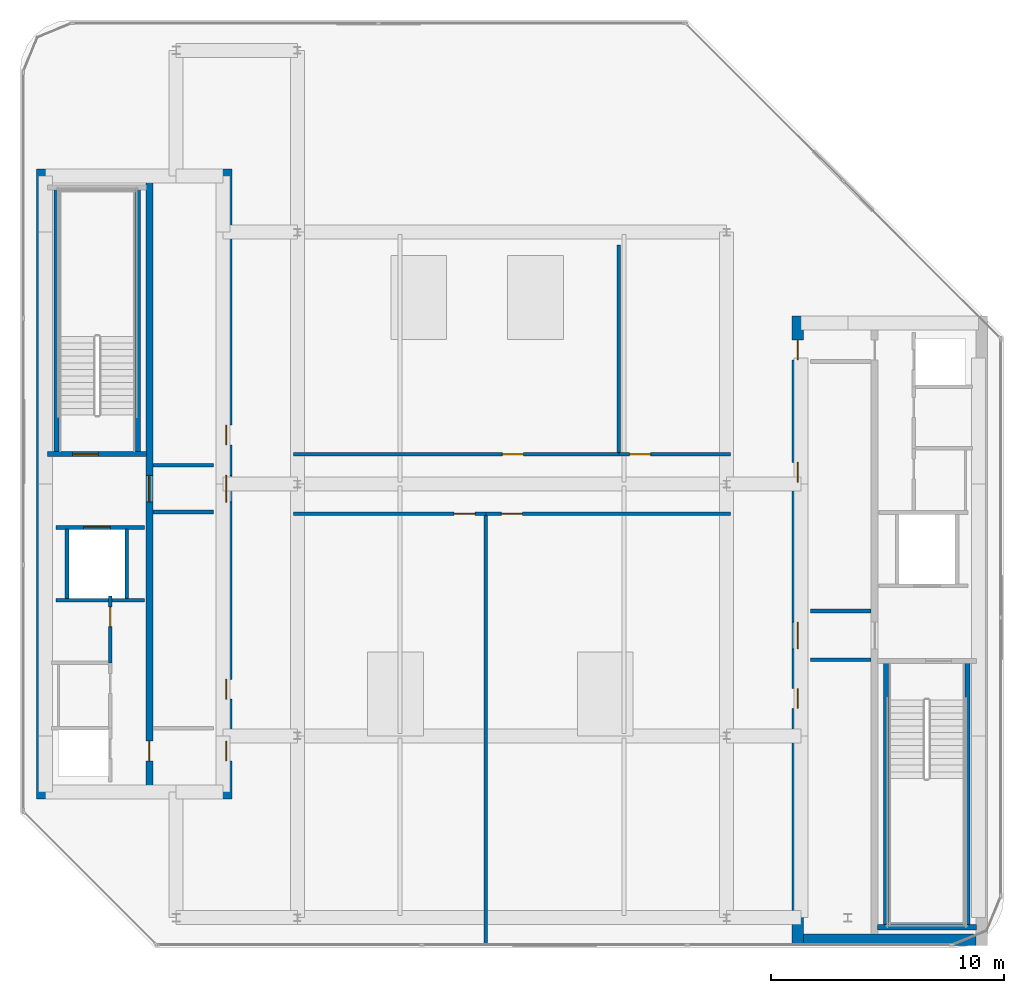
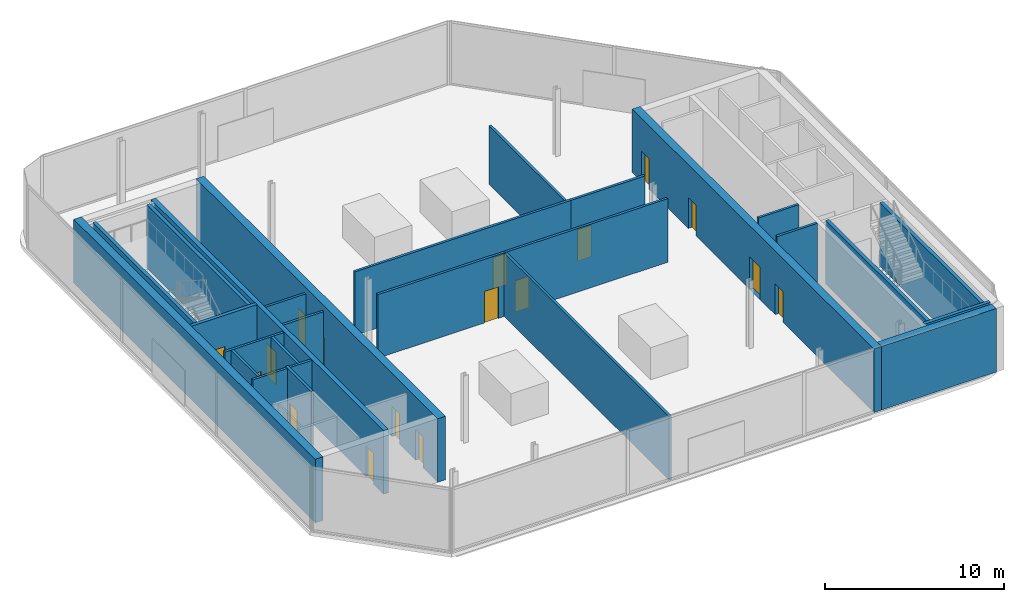
# One storey, part 5 of 15: 26 walls, 17 doors, 17 openings.
"""IFC4 building model written with IfcOpenShell, lengths in metres."""

from ifc_helpers import new_model, si_unit, direction, frame, frame_2d, origin, place, context, subcontext, project, spatial, rectangle, extrude, material, layer, layer_set, type_object, element, fill, save


model = new_model("IFC4")

# Units and contexts
model_context = context("Model", 3, precision=1e-05, world=origin(), true_north=direction((0.0, 1.0)))
body_context = subcontext(model_context, "Body", "Model", "MODEL_VIEW")
ifc_project = project(units=[si_unit("LENGTHUNIT", "METRE"), si_unit("AREAUNIT", "SQUARE_METRE"), si_unit("VOLUMEUNIT", "CUBIC_METRE"), si_unit("PLANEANGLEUNIT", "RADIAN"), si_unit("MASSUNIT", "GRAM", prefix="KILO")], contexts=[model_context])

# Site, building, storey
site_placement = place(None, origin())
site = spatial("IfcSite", under=ifc_project, at=site_placement, CompositionType="ELEMENT")
building_placement = place(site_placement, origin())
building = spatial("IfcBuilding", under=site, at=building_placement, Name="Khairoan Windgate Tower", CompositionType="ELEMENT")
storey_placement = place(building_placement, frame((0.0, 0.0, 330.39990234375)))
storey = spatial("IfcBuildingStorey", under=building, at=storey_placement, Name="L79", CompositionType="ELEMENT", Elevation=330.39990234375)

# Wall, opening, door
ifc_material_1 = material(Name="Concrete C40/50", Category="concrete")
ifc_layer_1 = layer(ifc_material_1, 0.159912109375, Name="Concrete C40/50")
ifc_layer_set_1 = layer_set([ifc_layer_1], Name="Concrete C40/50")
wall_type_1 = type_object("IfcWallType", Name="Core and Hoistway Enclosure Wall", PredefinedType="STANDARD", material=ifc_layer_set_1)
wall_1_placement = place(storey_placement, frame((-19.550048828125, -1.860107421875, 0.0), z_axis=(0.0, 0.0, 1.0), x_axis=(1.0, 0.0, 0.0)))
wall_1 = element("IfcWall", 1, at=wall_1_placement, inside=storey, type_object=wall_type_1, Name="L79 Core Shaft Wall SW-FL2-L79", PredefinedType="STANDARD", context=body_context, shape_type="SweptSolid", body=[
    extrude(rectangle(XDim=3.800048828125, YDim=0.159912109375, at=frame_2d((1.89990234375, 0.0))), origin(), (0.0, 0.0, 1.0), 4.340087890625),
])
opening_1_placement = place(wall_1_placement, frame((1.179931640625, 0.0, 0.0)))
opening_1 = element("IfcOpeningElement", 2, at=opening_1_placement, cuts=wall_1, Name="Opening LD-FL", PredefinedType="OPENING", context=body_context, shape_type="SweptSolid", body=[
    extrude(rectangle(XDim=1.14990234375, YDim=2.199951171875, at=frame_2d((0.574951171875, 1.10009765625))), frame((0.0, 0.08984375, 0.0), z_axis=(0.0, -1.0, 0.0), x_axis=(1.0, 0.0, 0.0)), (0.0, 0.0, 1.0), 0.179931640625),
])
ifc_material_2 = material(Name="Steel S355", Category="steel")
door_type_1 = type_object("IfcDoorType", Name="Firefighting Lift Sliding Landing Door LD-FL 1150x2200", OperationType="DOUBLE_DOOR_SLIDING", PredefinedType="DOOR", material=ifc_material_2)
door_1_placement = place(opening_1_placement, origin())
door_1 = element("IfcDoor", 3, at=door_1_placement, inside=storey, type_object=door_type_1, Name="L79 Firefighting Lift FL2 Landing Door", OperationType="DOUBLE_DOOR_SLIDING", OverallHeight=2.199951171875, OverallWidth=1.14990234375, PredefinedType="DOOR", context=body_context, shape_type="SweptSolid", body=[
    extrude(rectangle(XDim=1.14990234375, YDim=2.199951171875, at=frame_2d((0.574951171875, 1.10009765625))), frame((0.0, 0.02490234375, 0.0), z_axis=(0.0, -1.0, 0.0), x_axis=(1.0, 0.0, 0.0)), (0.0, 0.0, 1.0), 0.050048828125),
])
fill(opening_1, door_1)

# Walls
wall_2_placement = place(storey_placement, frame((-19.550048828125, -4.97998046875, 0.0), z_axis=(0.0, 0.0, 1.0), x_axis=(1.0, 0.0, 0.0)))
element("IfcWall", 4, at=wall_2_placement, inside=storey, type_object=wall_type_1, Name="L79 Core Shaft Wall SW-FL2B-L79", PredefinedType="STANDARD", context=body_context, shape_type="SweptSolid", body=[
    extrude(rectangle(XDim=3.800048828125, YDim=0.159912109375, at=frame_2d((1.89990234375, 0.0))), origin(), (0.0, 0.0, 1.0), 4.340087890625),
])
for number, where, z_axis, x_axis, name in (
    (5, (-19.080078125, -4.89990234375, 0.0), (0.0, 0.0, 1.0), (0.0, 1.0, 0.0), "L79 Core Shaft Wall SW-FL2W-L79"),
    (6, (-16.52001953125, -4.89990234375, 0.0), (0.0, 0.0, 1.0), (0.0, 1.0, 0.0), "L79 Core Shaft Wall SW-FL2E-L79"),
):
    element("IfcWall", number, at=place(storey_placement, frame(where, z_axis=z_axis, x_axis=x_axis)), inside=storey, type_object=wall_type_1, Name=name, PredefinedType="STANDARD", context=body_context, shape_type="SweptSolid", body=[
        extrude(rectangle(XDim=2.9599609375, YDim=0.159912109375, at=frame_2d((1.47998046875, 0.0))), origin(), (0.0, 0.0, 1.0), 4.340087890625),
    ])
for number, where, z_axis, x_axis, name in (
    (7, (-15.39990234375, 0.800048828125, 0.0), (0.0, 0.0, 1.0), (1.0, 0.0, 0.0), "L79 Core Shaft Wall SW-WV1-L79"),
    (8, (-15.39990234375, -1.199951171875, 0.0), (0.0, 0.0, 1.0), (1.0, 0.0, 0.0), "L79 Core Shaft Wall SW-WV2-L79"),
    (9, (12.800048828125, -5.449951171875, 0.0), (0.0, 0.0, 1.0), (1.0, 0.0, 0.0), "L79 Core Shaft Wall SW-EV1-L79"),
    (10, (12.800048828125, -7.5400390625, 0.0), (0.0, 0.0, 1.0), (1.0, 0.0, 0.0), "L79 Core Shaft Wall SW-EV2-L79"),
):
    element("IfcWall", number, at=place(storey_placement, frame(where, z_axis=z_axis, x_axis=x_axis)), inside=storey, type_object=wall_type_1, Name=name, PredefinedType="STANDARD", context=body_context, shape_type="SweptSolid", body=[
        extrude(rectangle(XDim=2.599853515625, YDim=0.159912109375, at=frame_2d((1.2998046875, 0.0))), origin(), (0.0, 0.0, 1.0), 4.340087890625),
    ])

# Wall, opening, door
ifc_material_3 = material(Name="Concrete C40/50", Category="concrete")
ifc_layer_2 = layer(ifc_material_3, 0.159912109375, Name="Concrete C40/50")
ifc_layer_set_2 = layer_set([ifc_layer_2], Name="Concrete C40/50")
wall_type_2 = type_object("IfcWallType", Name="Plant and Refuge Compartment Wall", PredefinedType="PARTITIONING", material=ifc_layer_set_2)
wall_3_placement = place(storey_placement, frame((-17.22998046875, -7.669921875, 0.0), z_axis=(0.0, 0.0, 1.0), x_axis=(0.0, 1.0, 0.0)))
wall_3 = element("IfcWall", 11, at=wall_3_placement, inside=storey, type_object=wall_type_2, Name="L79 Interior Partition 003", PredefinedType="PARTITIONING", context=body_context, shape_type="SweptSolid", body=[
    extrude(rectangle(XDim=2.85986328125, YDim=0.159912109375, at=frame_2d((1.429931640625, 0.0))), origin(), (0.0, 0.0, 1.0), 4.340087890625),
])
opening_2_placement = place(wall_3_placement, frame((1.550048828125, 0.0, 0.0)))
opening_2 = element("IfcOpeningElement", 12, at=opening_2_placement, cuts=wall_3, Name="Opening FD-SRV", PredefinedType="OPENING", context=body_context, shape_type="SweptSolid", body=[
    extrude(rectangle(XDim=0.85009765625, YDim=2.10009765625, at=frame_2d((0.425048828125, 1.050048828125))), frame((0.0, 0.08984375, 0.0), z_axis=(0.0, -1.0, 0.0), x_axis=(1.0, 0.0, 0.0)), (0.0, 0.0, 1.0), 0.179931640625),
])
ifc_material_4 = material(Name="Steel S355", Category="steel")
door_type_2 = type_object("IfcDoorType", Name="Core Service and Riser Fire Door FD-SRV 850x2100", OperationType="NOTDEFINED", PredefinedType="DOOR", material=ifc_material_4)
door_2_placement = place(opening_2_placement, origin())
door_2 = element("IfcDoor", 13, at=door_2_placement, inside=storey, type_object=door_type_2, Name="L79 L79-04-L79-07 Door", OperationType="SINGLE_SWING_LEFT", OverallHeight=2.10009765625, OverallWidth=0.85009765625, PredefinedType="DOOR", context=body_context, shape_type="SweptSolid", body=[
    extrude(rectangle(XDim=0.85009765625, YDim=2.10009765625, at=frame_2d((0.425048828125, 1.050048828125))), frame((0.0, 0.02490234375, 0.0), z_axis=(0.0, -1.0, 0.0), x_axis=(1.0, 0.0, 0.0)), (0.0, 0.0, 1.0), 0.050048828125),
])
fill(opening_2, door_2)

wall_4_placement = place(storey_placement, frame((-9.360107421875, 1.280029296875, 0.0), z_axis=(0.0, 0.0, 1.0), x_axis=(1.0, 0.0, 0.0)))
wall_4 = element("IfcWall", 14, at=wall_4_placement, inside=storey, type_object=wall_type_2, Name="L79 Interior Partition 011", PredefinedType="PARTITIONING", context=body_context, shape_type="SweptSolid", body=[
    extrude(rectangle(XDim=13.940185546875, YDim=0.159912109375, at=frame_2d((6.97021484375, 0.0))), origin(), (0.0, 0.0, 1.0), 4.340087890625),
])
opening_3_placement = place(wall_4_placement, frame((8.944091796875, 0.0, 0.0)))
opening_3 = element("IfcOpeningElement", 15, at=opening_3_placement, cuts=wall_4, Name="Opening FD-ENT", PredefinedType="OPENING", context=body_context, shape_type="SweptSolid", body=[
    extrude(rectangle(XDim=0.89990234375, YDim=2.14990234375, at=frame_2d((0.449951171875, 1.074951171875))), frame((0.0, 0.08984375, 0.0), z_axis=(0.0, -1.0, 0.0), x_axis=(1.0, 0.0, 0.0)), (0.0, 0.0, 1.0), 0.179931640625),
])
ifc_material_5 = material(Name="Timber Fire-Rated Core", Category="wood")
door_type_3 = type_object("IfcDoorType", Name="Unit and Office Fire Entrance Door FD-ENT 900x2150", OperationType="NOTDEFINED", PredefinedType="DOOR", material=ifc_material_5)
door_3_placement = place(opening_3_placement, origin())
door_3 = element("IfcDoor", 16, at=door_3_placement, inside=storey, type_object=door_type_3, Name="L79 L79-25-L79-26 Door", OperationType="SINGLE_SWING_LEFT", OverallHeight=2.14990234375, OverallWidth=0.89990234375, PredefinedType="DOOR", context=body_context, shape_type="SweptSolid", body=[
    extrude(rectangle(XDim=0.89990234375, YDim=2.14990234375, at=frame_2d((0.449951171875, 1.074951171875))), frame((0.0, 0.02490234375, 0.0), z_axis=(0.0, -1.0, 0.0), x_axis=(1.0, 0.0, 0.0)), (0.0, 0.0, 1.0), 0.050048828125),
])
fill(opening_3, door_3)

wall_5_placement = place(storey_placement, frame((-9.360107421875, -1.280029296875, 0.0), z_axis=(0.0, 0.0, 1.0), x_axis=(1.0, 0.0, 0.0)))
wall_5 = element("IfcWall", 17, at=wall_5_placement, inside=storey, type_object=wall_type_2, Name="L79 Interior Partition 012", PredefinedType="PARTITIONING", context=body_context, shape_type="SweptSolid", body=[
    extrude(rectangle(XDim=8.239990234375, YDim=0.159912109375, at=frame_2d((4.1201171875, 0.0))), origin(), (0.0, 0.0, 1.0), 4.340087890625),
])
opening_4_placement = place(wall_5_placement, frame((6.8798828125, 0.0, 0.0)))
opening_4 = element("IfcOpeningElement", 18, at=opening_4_placement, cuts=wall_5, Name="Opening FD-ENT", PredefinedType="OPENING", context=body_context, shape_type="SweptSolid", body=[
    extrude(rectangle(XDim=0.89990234375, YDim=2.14990234375, at=frame_2d((0.449951171875, 1.074951171875))), frame((0.0, 0.08984375, 0.0), z_axis=(0.0, -1.0, 0.0), x_axis=(1.0, 0.0, 0.0)), (0.0, 0.0, 1.0), 0.179931640625),
])
door_4_placement = place(opening_4_placement, origin())
door_4 = element("IfcDoor", 19, at=door_4_placement, inside=storey, type_object=door_type_3, Name="L79 L79-25-L79-27 Door", OperationType="SINGLE_SWING_RIGHT", OverallHeight=2.14990234375, OverallWidth=0.89990234375, PredefinedType="DOOR", context=body_context, shape_type="SweptSolid", body=[
    extrude(rectangle(XDim=0.89990234375, YDim=2.14990234375, at=frame_2d((0.449951171875, 1.074951171875))), frame((0.0, 0.02490234375, 0.0), z_axis=(0.0, -1.0, 0.0), x_axis=(1.0, 0.0, 0.0)), (0.0, 0.0, 1.0), 0.050048828125),
])
fill(opening_4, door_4)

wall_6_placement = place(storey_placement, frame((-1.1201171875, -1.280029296875, 0.0), z_axis=(0.0, 0.0, 1.0), x_axis=(1.0, 0.0, 0.0)))
wall_6 = element("IfcWall", 20, at=wall_6_placement, inside=storey, type_object=wall_type_2, Name="L79 Interior Partition 013", PredefinedType="PARTITIONING", context=body_context, shape_type="SweptSolid", body=[
    extrude(rectangle(XDim=10.480224609375, YDim=0.159912109375, at=frame_2d((5.240234375, 0.0))), origin(), (0.0, 0.0, 1.0), 4.340087890625),
])
opening_5_placement = place(wall_6_placement, frame((0.661376953125, 0.0, 0.0)))
opening_5 = element("IfcOpeningElement", 21, at=opening_5_placement, cuts=wall_6, Name="Opening FD-ENT", PredefinedType="OPENING", context=body_context, shape_type="SweptSolid", body=[
    extrude(rectangle(XDim=0.89990234375, YDim=2.14990234375, at=frame_2d((0.449951171875, 1.074951171875))), frame((0.0, 0.08984375, 0.0), z_axis=(0.0, -1.0, 0.0), x_axis=(1.0, 0.0, 0.0)), (0.0, 0.0, 1.0), 0.179931640625),
])
door_5_placement = place(opening_5_placement, origin())
door_5 = element("IfcDoor", 22, at=door_5_placement, inside=storey, type_object=door_type_3, Name="L79 L79-25-L79-28 Door", OperationType="SINGLE_SWING_LEFT", OverallHeight=2.14990234375, OverallWidth=0.89990234375, PredefinedType="DOOR", context=body_context, shape_type="SweptSolid", body=[
    extrude(rectangle(XDim=0.89990234375, YDim=2.14990234375, at=frame_2d((0.449951171875, 1.074951171875))), frame((0.0, 0.02490234375, 0.0), z_axis=(0.0, -1.0, 0.0), x_axis=(1.0, 0.0, 0.0)), (0.0, 0.0, 1.0), 0.050048828125),
])
fill(opening_5, door_5)

wall_7_placement = place(storey_placement, frame((4.580078125, 1.280029296875, 0.0), z_axis=(0.0, 0.0, 1.0), x_axis=(1.0, 0.0, 0.0)))
wall_7 = element("IfcWall", 23, at=wall_7_placement, inside=storey, type_object=wall_type_2, Name="L79 Interior Partition 014", PredefinedType="PARTITIONING", context=body_context, shape_type="SweptSolid", body=[
    extrude(rectangle(XDim=4.780029296875, YDim=0.159912109375, at=frame_2d((2.39013671875, 0.0))), origin(), (0.0, 0.0, 1.0), 4.340087890625),
])
opening_6_placement = place(wall_7_placement, frame((0.4599609375, 0.0, 0.0)))
opening_6 = element("IfcOpeningElement", 24, at=opening_6_placement, cuts=wall_7, Name="Opening FD-ENT", PredefinedType="OPENING", context=body_context, shape_type="SweptSolid", body=[
    extrude(rectangle(XDim=0.89990234375, YDim=2.14990234375, at=frame_2d((0.449951171875, 1.074951171875))), frame((0.0, 0.08984375, 0.0), z_axis=(0.0, -1.0, 0.0), x_axis=(1.0, 0.0, 0.0)), (0.0, 0.0, 1.0), 0.179931640625),
])
door_6_placement = place(opening_6_placement, origin())
door_6 = element("IfcDoor", 25, at=door_6_placement, inside=storey, type_object=door_type_3, Name="L79 L79-25-L79-29 Door", OperationType="SINGLE_SWING_RIGHT", OverallHeight=2.14990234375, OverallWidth=0.89990234375, PredefinedType="DOOR", context=body_context, shape_type="SweptSolid", body=[
    extrude(rectangle(XDim=0.89990234375, YDim=2.14990234375, at=frame_2d((0.449951171875, 1.074951171875))), frame((0.0, 0.02490234375, 0.0), z_axis=(0.0, -1.0, 0.0), x_axis=(1.0, 0.0, 0.0)), (0.0, 0.0, 1.0), 0.050048828125),
])
fill(opening_6, door_6)

# Walls
wall_8_placement = place(storey_placement, frame((4.580078125, 1.360107421875, 0.0), z_axis=(0.0, 0.0, 1.0), x_axis=(0.0, 1.0, 0.0)))
element("IfcWall", 26, at=wall_8_placement, inside=storey, type_object=wall_type_2, Name="L79 Interior Partition 015", PredefinedType="PARTITIONING", context=body_context, shape_type="SweptSolid", body=[
    extrude(rectangle(XDim=8.8798828125, YDim=0.159912109375, at=frame_2d((4.43994140625, 0.0))), origin(), (0.0, 0.0, 1.0), 3.989990234375),
])
wall_9_placement = place(storey_placement, frame((-1.1201171875, -19.7548828125, 0.0), z_axis=(0.0, 0.0, 1.0), x_axis=(0.0, 1.0, 0.0)))
element("IfcWall", 27, at=wall_9_placement, inside=storey, type_object=wall_type_2, Name="L79 Interior Partition 016", PredefinedType="PARTITIONING", context=body_context, shape_type="SweptSolid", body=[
    extrude(rectangle(XDim=18.394775390625, YDim=0.159912109375, at=frame_2d((9.197265625, 0.0))), origin(), (0.0, 0.0, 1.0), 4.340087890625),
])

# Wall, openings, doors
ifc_material_6 = material(Name="Concrete C50/60", Category="concrete")
ifc_layer_3 = layer(ifc_material_6, 0.5, Name="Concrete C50/60")
ifc_layer_set_3 = layer_set([ifc_layer_3], Name="Concrete C50/60")
wall_type_3 = type_object("IfcWallType", Name="Shear Wall CW-E3 500mm", PredefinedType="SHEAR", material=ifc_layer_set_3)
wall_10_placement = place(storey_placement, frame((12.25, -19.800048828125, 0.0), z_axis=(0.0, 0.0, 1.0), x_axis=(0.0, 1.0, 0.0)))
wall_10 = element("IfcWall", 28, at=wall_10_placement, inside=storey, type_object=wall_type_3, Name="E Core West Shear Wall L79", PredefinedType="SHEAR", context=body_context, shape_type="SweptSolid", body=[
    extrude(rectangle(XDim=27.0, YDim=0.5, at=frame_2d((13.5, 0.0))), origin(), (0.0, 0.0, 1.0), 4.340087890625),
])
opening_7_placement = place(wall_10_placement, frame((19.875, 0.0, 0.0)))
opening_7 = element("IfcOpeningElement", 29, at=opening_7_placement, cuts=wall_10, Name="Opening FD-SRV", PredefinedType="OPENING", context=body_context, shape_type="SweptSolid", body=[
    extrude(rectangle(XDim=0.85009765625, YDim=2.10009765625, at=frame_2d((0.425048828125, 1.050048828125))), frame((0.0, 0.260009765625, 0.0), z_axis=(0.0, -1.0, 0.0), x_axis=(1.0, 0.0, 0.0)), (0.0, 0.0, 1.0), 0.52001953125),
])
opening_8_placement = place(wall_10_placement, frame((10.175048828125, 0.0, 0.0)))
opening_8 = element("IfcOpeningElement", 30, at=opening_8_placement, cuts=wall_10, Name="Opening FD-SRV", PredefinedType="OPENING", context=body_context, shape_type="SweptSolid", body=[
    extrude(rectangle(XDim=0.85009765625, YDim=2.10009765625, at=frame_2d((0.425048828125, 1.050048828125))), frame((0.0, 0.260009765625, 0.0), z_axis=(0.0, -1.0, 0.0), x_axis=(1.0, 0.0, 0.0)), (0.0, 0.0, 1.0), 0.52001953125),
])
opening_9_placement = place(wall_10_placement, frame((12.72509765625, 0.0, 0.0)))
opening_9 = element("IfcOpeningElement", 31, at=opening_9_placement, cuts=wall_10, Name="Opening FD-FFL", PredefinedType="OPENING", context=body_context, shape_type="SweptSolid", body=[
    extrude(rectangle(XDim=1.14990234375, YDim=2.199951171875, at=frame_2d((0.574951171875, 1.10009765625))), frame((0.0, 0.260009765625, 0.0), z_axis=(0.0, -1.0, 0.0), x_axis=(1.0, 0.0, 0.0)), (0.0, 0.0, 1.0), 0.52001953125),
])
opening_10_placement = place(wall_10_placement, frame((25.125, 0.0, 0.0)))
opening_10 = element("IfcOpeningElement", 32, at=opening_10_placement, cuts=wall_10, Name="Opening FD-SRV", PredefinedType="OPENING", context=body_context, shape_type="SweptSolid", body=[
    extrude(rectangle(XDim=0.85009765625, YDim=2.10009765625, at=frame_2d((0.425048828125, 1.050048828125))), frame((0.0, 0.260009765625, 0.0), z_axis=(0.0, -1.0, 0.0), x_axis=(1.0, 0.0, 0.0)), (0.0, 0.0, 1.0), 0.52001953125),
])
door_7_placement = place(opening_7_placement, origin())
door_7 = element("IfcDoor", 33, at=door_7_placement, inside=storey, type_object=door_type_2, Name="L79 Crown Overrun Plant Door", OperationType="SINGLE_SWING_LEFT", OverallHeight=2.10009765625, OverallWidth=0.85009765625, PredefinedType="DOOR", context=body_context, shape_type="SweptSolid", body=[
    extrude(rectangle(XDim=0.85009765625, YDim=2.10009765625, at=frame_2d((0.425048828125, 1.050048828125))), frame((0.0, 0.02490234375, 0.0), z_axis=(0.0, -1.0, 0.0), x_axis=(1.0, 0.0, 0.0)), (0.0, 0.0, 1.0), 0.050048828125),
])
fill(opening_7, door_7)
door_8_placement = place(opening_8_placement, origin())
door_8 = element("IfcDoor", 34, at=door_8_placement, inside=storey, type_object=door_type_2, Name="L79 East Core Service Room Door 1", OperationType="SINGLE_SWING_RIGHT", OverallHeight=2.10009765625, OverallWidth=0.85009765625, PredefinedType="DOOR", context=body_context, shape_type="SweptSolid", body=[
    extrude(rectangle(XDim=0.85009765625, YDim=2.10009765625, at=frame_2d((0.425048828125, 1.050048828125))), frame((0.0, 0.02490234375, 0.0), z_axis=(0.0, -1.0, 0.0), x_axis=(1.0, 0.0, 0.0)), (0.0, 0.0, 1.0), 0.050048828125),
])
fill(opening_8, door_8)
door_9_placement = place(opening_10_placement, origin())
door_9 = element("IfcDoor", 35, at=door_9_placement, inside=storey, type_object=door_type_2, Name="L79 East Core Service Vestibule Outer Door", OperationType="SINGLE_SWING_LEFT", OverallHeight=2.10009765625, OverallWidth=0.85009765625, PredefinedType="DOOR", context=body_context, shape_type="SweptSolid", body=[
    extrude(rectangle(XDim=0.85009765625, YDim=2.10009765625, at=frame_2d((0.425048828125, 1.050048828125))), frame((0.0, 0.02490234375, 0.0), z_axis=(0.0, -1.0, 0.0), x_axis=(1.0, 0.0, 0.0)), (0.0, 0.0, 1.0), 0.050048828125),
])
fill(opening_10, door_9)
ifc_material_7 = material(Name="Steel S355", Category="steel")
door_type_4 = type_object("IfcDoorType", Name="Firefighting Lobby Fire Door FD-FFL 1150x2200", OperationType="NOTDEFINED", PredefinedType="DOOR", material=ifc_material_7)
door_10_placement = place(opening_9_placement, origin())
door_10 = element("IfcDoor", 36, at=door_10_placement, inside=storey, type_object=door_type_4, Name="L79 East Core Vestibule Entry Door", OperationType="SINGLE_SWING_LEFT", OverallHeight=2.199951171875, OverallWidth=1.14990234375, PredefinedType="DOOR", context=body_context, shape_type="SweptSolid", body=[
    extrude(rectangle(XDim=1.14990234375, YDim=2.199951171875, at=frame_2d((0.574951171875, 1.10009765625))), frame((0.0, 0.02490234375, 0.0), z_axis=(0.0, -1.0, 0.0), x_axis=(1.0, 0.0, 0.0)), (0.0, 0.0, 1.0), 0.050048828125),
])
fill(opening_9, door_10)

# Walls
wall_11_placement = place(storey_placement, frame((12.5, -19.550048828125, 0.0), z_axis=(0.0, 0.0, 1.0), x_axis=(1.0, 0.0, 0.0)))
element("IfcWall", 37, at=wall_11_placement, inside=storey, type_object=wall_type_3, Name="E Core South Shear Wall L79", PredefinedType="SHEAR", context=body_context, shape_type="SweptSolid", body=[
    extrude(rectangle(XDim=7.39990234375, YDim=0.5, at=frame_2d((3.699951171875, 0.0))), origin(), (0.0, 0.0, 1.0), 4.340087890625),
])
ifc_material_8 = material(Name="Concrete C50/60", Category="concrete")
ifc_layer_4 = layer(ifc_material_8, 0.5, Name="Concrete C50/60")
ifc_layer_set_4 = layer_set([ifc_layer_4], Name="Concrete C50/60")
wall_type_4 = type_object("IfcWallType", Name="Shear Wall CW-W3 500mm", PredefinedType="SHEAR", material=ifc_layer_set_4)
wall_12_placement = place(storey_placement, frame((-20.14990234375, -13.5, 0.0), z_axis=(0.0, 0.0, 1.0), x_axis=(0.0, 1.0, 0.0)))
element("IfcWall", 38, at=wall_12_placement, inside=storey, type_object=wall_type_4, Name="W Core West Shear Wall L79", PredefinedType="SHEAR", context=body_context, shape_type="SweptSolid", body=[
    extrude(rectangle(XDim=27.0, YDim=0.5, at=frame_2d((13.5, 0.0))), origin(), (0.0, 0.0, 1.0), 4.340087890625),
])

# Wall, openings, doors
wall_13_placement = place(storey_placement, frame((-12.25, -13.5, 0.0), z_axis=(0.0, 0.0, 1.0), x_axis=(0.0, 1.0, 0.0)))
wall_13 = element("IfcWall", 39, at=wall_13_placement, inside=storey, type_object=wall_type_4, Name="W Core East Shear Wall L79", PredefinedType="SHEAR", context=body_context, shape_type="SweptSolid", body=[
    extrude(rectangle(XDim=27.0, YDim=0.5, at=frame_2d((13.5, 0.0))), origin(), (0.0, 0.0, 1.0), 4.340087890625),
])
opening_11_placement = place(wall_13_placement, frame((15.175048828125, 0.0, 0.0)))
opening_11 = element("IfcOpeningElement", 40, at=opening_11_placement, cuts=wall_13, Name="Opening FD-SRV", PredefinedType="OPENING", context=body_context, shape_type="SweptSolid", body=[
    extrude(rectangle(XDim=0.85009765625, YDim=2.10009765625, at=frame_2d((0.425048828125, 1.050048828125))), frame((0.0, 0.260009765625, 0.0), z_axis=(0.0, -1.0, 0.0), x_axis=(1.0, 0.0, 0.0)), (0.0, 0.0, 1.0), 0.52001953125),
])
opening_12_placement = place(wall_13_placement, frame((4.27490234375, 0.0, 0.0)))
opening_12 = element("IfcOpeningElement", 41, at=opening_12_placement, cuts=wall_13, Name="Opening FD-SRV", PredefinedType="OPENING", context=body_context, shape_type="SweptSolid", body=[
    extrude(rectangle(XDim=0.85009765625, YDim=2.10009765625, at=frame_2d((0.425048828125, 1.050048828125))), frame((0.0, 0.260009765625, 0.0), z_axis=(0.0, -1.0, 0.0), x_axis=(1.0, 0.0, 0.0)), (0.0, 0.0, 1.0), 0.52001953125),
])
opening_13_placement = place(wall_13_placement, frame((12.72509765625, 0.0, 0.0)))
opening_13 = element("IfcOpeningElement", 42, at=opening_13_placement, cuts=wall_13, Name="Opening FD-FFL", PredefinedType="OPENING", context=body_context, shape_type="SweptSolid", body=[
    extrude(rectangle(XDim=1.14990234375, YDim=2.199951171875, at=frame_2d((0.574951171875, 1.10009765625))), frame((0.0, 0.260009765625, 0.0), z_axis=(0.0, -1.0, 0.0), x_axis=(1.0, 0.0, 0.0)), (0.0, 0.0, 1.0), 0.52001953125),
])
opening_14_placement = place(wall_13_placement, frame((1.625, 0.0, 0.0)))
opening_14 = element("IfcOpeningElement", 43, at=opening_14_placement, cuts=wall_13, Name="Opening FD-SRV", PredefinedType="OPENING", context=body_context, shape_type="SweptSolid", body=[
    extrude(rectangle(XDim=0.85009765625, YDim=2.10009765625, at=frame_2d((0.425048828125, 1.050048828125))), frame((0.0, 0.260009765625, 0.0), z_axis=(0.0, -1.0, 0.0), x_axis=(1.0, 0.0, 0.0)), (0.0, 0.0, 1.0), 0.52001953125),
])
door_11_placement = place(opening_11_placement, origin())
door_11 = element("IfcDoor", 44, at=door_11_placement, inside=storey, type_object=door_type_2, Name="L79 Upper Core Room Door B1-1", OperationType="SINGLE_SWING_LEFT", OverallHeight=2.10009765625, OverallWidth=0.85009765625, PredefinedType="DOOR", context=body_context, shape_type="SweptSolid", body=[
    extrude(rectangle(XDim=0.85009765625, YDim=2.10009765625, at=frame_2d((0.425048828125, 1.050048828125))), frame((0.0, 0.02490234375, 0.0), z_axis=(0.0, -1.0, 0.0), x_axis=(1.0, 0.0, 0.0)), (0.0, 0.0, 1.0), 0.050048828125),
])
fill(opening_11, door_11)
door_12_placement = place(opening_12_placement, origin())
door_12 = element("IfcDoor", 45, at=door_12_placement, inside=storey, type_object=door_type_2, Name="L79 Upper Core Room Door B2-1", OperationType="SINGLE_SWING_RIGHT", OverallHeight=2.10009765625, OverallWidth=0.85009765625, PredefinedType="DOOR", context=body_context, shape_type="SweptSolid", body=[
    extrude(rectangle(XDim=0.85009765625, YDim=2.10009765625, at=frame_2d((0.425048828125, 1.050048828125))), frame((0.0, 0.02490234375, 0.0), z_axis=(0.0, -1.0, 0.0), x_axis=(1.0, 0.0, 0.0)), (0.0, 0.0, 1.0), 0.050048828125),
])
fill(opening_12, door_12)
door_13_placement = place(opening_14_placement, origin())
door_13 = element("IfcDoor", 46, at=door_13_placement, inside=storey, type_object=door_type_2, Name="L79 West Core Service Vestibule Outer Door", OperationType="SINGLE_SWING_LEFT", OverallHeight=2.10009765625, OverallWidth=0.85009765625, PredefinedType="DOOR", context=body_context, shape_type="SweptSolid", body=[
    extrude(rectangle(XDim=0.85009765625, YDim=2.10009765625, at=frame_2d((0.425048828125, 1.050048828125))), frame((0.0, 0.02490234375, 0.0), z_axis=(0.0, -1.0, 0.0), x_axis=(1.0, 0.0, 0.0)), (0.0, 0.0, 1.0), 0.050048828125),
])
fill(opening_14, door_13)
door_14_placement = place(opening_13_placement, origin())
door_14 = element("IfcDoor", 47, at=door_14_placement, inside=storey, type_object=door_type_4, Name="L79 West Core Vestibule Entry Door", OperationType="SINGLE_SWING_LEFT", OverallHeight=2.199951171875, OverallWidth=1.14990234375, PredefinedType="DOOR", context=body_context, shape_type="SweptSolid", body=[
    extrude(rectangle(XDim=1.14990234375, YDim=2.199951171875, at=frame_2d((0.574951171875, 1.10009765625))), frame((0.0, 0.02490234375, 0.0), z_axis=(0.0, -1.0, 0.0), x_axis=(1.0, 0.0, 0.0)), (0.0, 0.0, 1.0), 0.050048828125),
])
fill(opening_13, door_14)

ifc_material_9 = material(Name="Concrete C50/60", Category="concrete")
ifc_layer_5 = layer(ifc_material_9, 0.300048828125, Name="Concrete C50/60")
ifc_layer_set_5 = layer_set([ifc_layer_5], Name="Concrete C50/60")
wall_type_5 = type_object("IfcWallType", Name="Shear Wall SW-2 300mm", PredefinedType="SHEAR", material=ifc_layer_set_5)
wall_14_placement = place(storey_placement, frame((-15.550048828125, -13.0, 0.0), z_axis=(0.0, 0.0, 1.0), x_axis=(0.0, 1.0, 0.0)))
wall_14 = element("IfcWall", 48, at=wall_14_placement, inside=storey, type_object=wall_type_5, Name="W Core Spine Shear Wall L79", PredefinedType="SHEAR", context=body_context, shape_type="SweptSolid", body=[
    extrude(rectangle(XDim=26.0, YDim=0.300048828125, at=frame_2d((13.0, 0.0))), origin(), (0.0, 0.0, 1.0), 4.340087890625),
])
opening_15_placement = place(wall_14_placement, frame((12.22509765625, 0.0, 0.0)))
opening_15 = element("IfcOpeningElement", 49, at=opening_15_placement, cuts=wall_14, Name="Opening FD-FFL", PredefinedType="OPENING", context=body_context, shape_type="SweptSolid", body=[
    extrude(rectangle(XDim=1.14990234375, YDim=2.199951171875, at=frame_2d((0.574951171875, 1.10009765625))), frame((0.0, 0.159912109375, 0.0), z_axis=(0.0, -1.0, 0.0), x_axis=(1.0, 0.0, 0.0)), (0.0, 0.0, 1.0), 0.320068359375),
])
opening_16_placement = place(wall_14_placement, frame((1.125, 0.0, 0.0)))
opening_16 = element("IfcOpeningElement", 50, at=opening_16_placement, cuts=wall_14, Name="Opening FD-SRV", PredefinedType="OPENING", context=body_context, shape_type="SweptSolid", body=[
    extrude(rectangle(XDim=0.85009765625, YDim=2.10009765625, at=frame_2d((0.425048828125, 1.050048828125))), frame((0.0, 0.159912109375, 0.0), z_axis=(0.0, -1.0, 0.0), x_axis=(1.0, 0.0, 0.0)), (0.0, 0.0, 1.0), 0.320068359375),
])
door_15_placement = place(opening_16_placement, origin())
door_15 = element("IfcDoor", 51, at=door_15_placement, inside=storey, type_object=door_type_2, Name="L79 West Core Service Passage Inner Door", OperationType="SINGLE_SWING_RIGHT", OverallHeight=2.10009765625, OverallWidth=0.85009765625, PredefinedType="DOOR", context=body_context, shape_type="SweptSolid", body=[
    extrude(rectangle(XDim=0.85009765625, YDim=2.10009765625, at=frame_2d((0.425048828125, 1.050048828125))), frame((0.0, 0.02490234375, 0.0), z_axis=(0.0, -1.0, 0.0), x_axis=(1.0, 0.0, 0.0)), (0.0, 0.0, 1.0), 0.050048828125),
])
fill(opening_16, door_15)
door_16_placement = place(opening_15_placement, origin())
door_16 = element("IfcDoor", 52, at=door_16_placement, inside=storey, type_object=door_type_4, Name="L79 West Firefighting Lobby Fire Door", OperationType="SINGLE_SWING_RIGHT", OverallHeight=2.199951171875, OverallWidth=1.14990234375, PredefinedType="DOOR", context=body_context, shape_type="SweptSolid", body=[
    extrude(rectangle(XDim=1.14990234375, YDim=2.199951171875, at=frame_2d((0.574951171875, 1.10009765625))), frame((0.0, 0.02490234375, 0.0), z_axis=(0.0, -1.0, 0.0), x_axis=(1.0, 0.0, 0.0)), (0.0, 0.0, 1.0), 0.050048828125),
])
fill(opening_15, door_16)

# Walls
ifc_material_10 = material(Name="Concrete C50/60", Category="concrete")
ifc_layer_6 = layer(ifc_material_10, 0.219970703125, Name="Concrete C50/60")
ifc_layer_set_6 = layer_set([ifc_layer_6], Name="Concrete C50/60")
wall_type_6 = type_object("IfcWallType", Name="Shear Wall SW-ST 220mm", PredefinedType="SHEAR", material=ifc_layer_set_6)
for number, where, z_axis, x_axis, name in (
    (53, (16.0400390625, -19.010009765625, 0.0), (0.0, 0.0, 1.0), (0.0, 1.0, 0.0), "L79 Stair ST1 West Bearing Wall"),
    (54, (19.530029296875, -19.010009765625, 0.0), (0.0, 0.0, 1.0), (0.0, 1.0, 0.0), "L79 Stair ST1 East Bearing Wall"),
):
    element("IfcWall", number, at=place(storey_placement, frame(where, z_axis=z_axis, x_axis=x_axis)), inside=storey, type_object=wall_type_6, Name=name, PredefinedType="SHEAR", context=body_context, shape_type="SweptSolid", body=[
        extrude(rectangle(XDim=11.419921875, YDim=0.219970703125, at=frame_2d((5.7099609375, 0.0))), origin(), (0.0, 0.0, 1.0), 4.340087890625),
    ])
wall_15_placement = place(storey_placement, frame((15.679931640625, -19.010009765625, 0.0), z_axis=(0.0, 0.0, 1.0), x_axis=(1.0, 0.0, 0.0)))
element("IfcWall", 55, at=wall_15_placement, inside=storey, type_object=wall_type_6, Name="L79 Stair ST1 South Bearing Wall", PredefinedType="SHEAR", context=body_context, shape_type="SweptSolid", body=[
    extrude(rectangle(XDim=4.239990234375, YDim=0.219970703125, at=frame_2d((2.1201171875, 0.0))), origin(), (0.0, 0.0, 1.0), 4.340087890625),
])
for number, where, z_axis, x_axis, name in (
    (56, (-16.0400390625, 1.2900390625, 0.0), (0.0, 0.0, 1.0), (0.0, 1.0, 0.0), "L79 Stair ST2 East Bearing Wall"),
    (57, (-19.530029296875, 1.2900390625, 0.0), (0.0, 0.0, 1.0), (0.0, 1.0, 0.0), "L79 Stair ST2 West Bearing Wall"),
):
    element("IfcWall", number, at=place(storey_placement, frame(where, z_axis=z_axis, x_axis=x_axis)), inside=storey, type_object=wall_type_6, Name=name, PredefinedType="SHEAR", context=body_context, shape_type="SweptSolid", body=[
        extrude(rectangle(XDim=11.419921875, YDim=0.219970703125, at=frame_2d((5.7099609375, 0.0))), origin(), (0.0, 0.0, 1.0), 4.340087890625),
    ])

# Wall, opening, door
wall_16_placement = place(storey_placement, frame((-19.919921875, 1.2900390625, 0.0), z_axis=(0.0, 0.0, 1.0), x_axis=(1.0, 0.0, 0.0)))
wall_16 = element("IfcWall", 58, at=wall_16_placement, inside=storey, type_object=wall_type_6, Name="L79 Stair ST2 South Bearing Wall", PredefinedType="SHEAR", context=body_context, shape_type="SweptSolid", body=[
    extrude(rectangle(XDim=4.239990234375, YDim=0.219970703125, at=frame_2d((2.1201171875, 0.0))), origin(), (0.0, 0.0, 1.0), 4.340087890625),
])
opening_17_placement = place(wall_16_placement, frame((1.080078125, 0.0, 0.0)))
opening_17 = element("IfcOpeningElement", 59, at=opening_17_placement, cuts=wall_16, Name="Opening FD-ST", PredefinedType="OPENING", context=body_context, shape_type="SweptSolid", body=[
    extrude(rectangle(XDim=1.10009765625, YDim=2.199951171875, at=frame_2d((0.550048828125, 1.10009765625))), frame((0.0, 0.119873046875, 0.0), z_axis=(0.0, -1.0, 0.0), x_axis=(1.0, 0.0, 0.0)), (0.0, 0.0, 1.0), 0.239990234375),
])
ifc_material_11 = material(Name="Steel S355", Category="steel")
door_type_5 = type_object("IfcDoorType", Name="Smokeproof Stair Fire Door FD-ST 1100x2200", OperationType="NOTDEFINED", PredefinedType="DOOR", material=ifc_material_11)
door_17_placement = place(opening_17_placement, origin())
door_17 = element("IfcDoor", 60, at=door_17_placement, inside=storey, type_object=door_type_5, Name="L79 Stair ST2 Fire Door", OperationType="SINGLE_SWING_RIGHT", OverallHeight=2.199951171875, OverallWidth=1.10009765625, PredefinedType="DOOR", context=body_context, shape_type="SweptSolid", body=[
    extrude(rectangle(XDim=1.10009765625, YDim=2.199951171875, at=frame_2d((0.550048828125, 1.10009765625))), frame((0.0, 0.02490234375, 0.0), z_axis=(0.0, -1.0, 0.0), x_axis=(1.0, 0.0, 0.0)), (0.0, 0.0, 1.0), 0.050048828125),
])
fill(opening_17, door_17)

save(model, "model.ifc")
